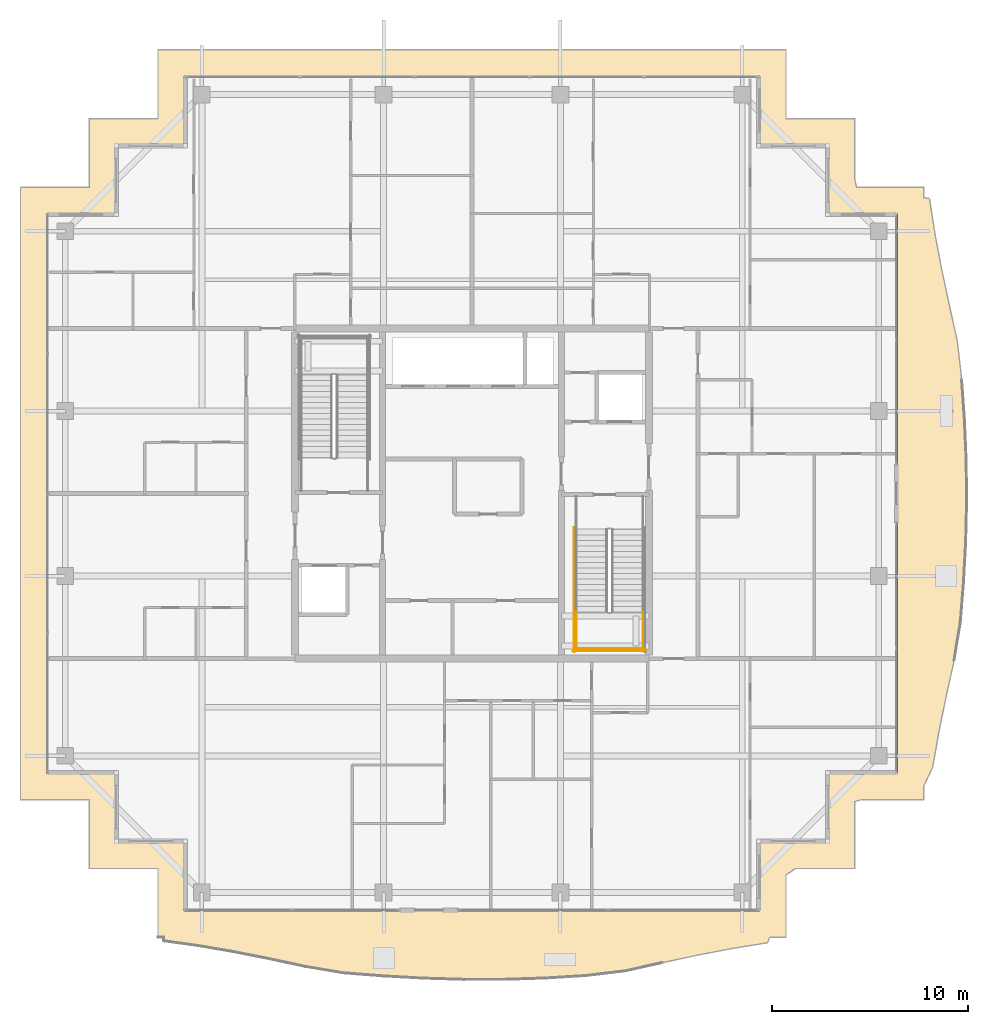
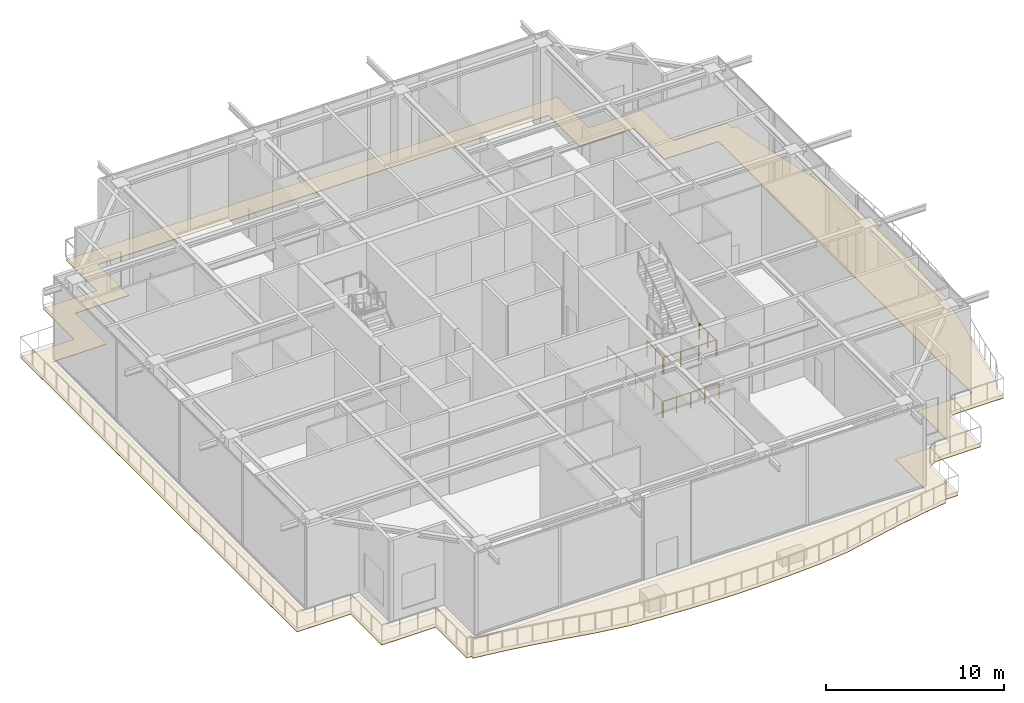
# One storey, part 36 of 38: 5 railings, 1 covering.
"""IFC4 building model written with IfcOpenShell, lengths in metres."""

from ifc_helpers import new_model, si_unit, direction, frame, origin, origin_2d, place, context, subcontext, project, spatial, polyline, circle, outline, extrude, material, layer, layer_set, type_object, element, save


model = new_model("IFC4")

# Units and contexts
model_context = context("Model", 3, precision=1e-05, world=origin(), true_north=direction((0.0, 1.0)))
body_context = subcontext(model_context, "Body", "Model", "MODEL_VIEW")
ifc_project = project(units=[si_unit("LENGTHUNIT", "METRE"), si_unit("AREAUNIT", "SQUARE_METRE"), si_unit("VOLUMEUNIT", "CUBIC_METRE"), si_unit("PLANEANGLEUNIT", "RADIAN"), si_unit("MASSUNIT", "GRAM", prefix="KILO")], contexts=[model_context])

# Site, building, storey
site_placement = place(None, origin())
site = spatial("IfcSite", under=ifc_project, at=site_placement, CompositionType="ELEMENT")
building_placement = place(site_placement, origin())
building = spatial("IfcBuilding", under=site, at=building_placement, Name="Serunith Strait Residences", CompositionType="ELEMENT")
storey_placement = place(building_placement, frame((0.0, 0.0, 342.050048828125)))
storey = spatial("IfcBuildingStorey", under=building, at=storey_placement, Name="L85", CompositionType="ELEMENT", Elevation=342.050048828125)

# Covering
ifc_material_1 = material(Name="Golden Teak Exterior Timber Boarding", Category="wood")
ifc_layer = layer(ifc_material_1, 0.034912109375, Name="Golden Teak Exterior Timber Boarding")
ifc_layer_set = layer_set([ifc_layer], Name="Golden Teak Exterior Timber Boarding")
covering_type = type_object("IfcCoveringType", Name="COV-TEAK-SOFFIT", PredefinedType="CEILING", material=ifc_layer_set)
covering_placement = place(storey_placement, frame((0.0, 0.0, -0.324951171875)))
element("IfcCovering", 1, at=covering_placement, inside=storey, type_object=covering_type, Name="L85 Golden-Teak Balcony Soffit Lining", PredefinedType="CEILING", context=body_context, shape_type="SweptSolid", body=[
    extrude(outline(polyline([(16.419921875, 2.6201171875), (16.419921875, 6.1201171875), (12.919921875, 6.1201171875), (12.919921875, 9.6201171875), (9.419921875, 9.6201171875), (9.419921875, 40.780029296875), (12.919921875, 40.780029296875), (12.919921875, 44.280029296875), (16.367919921875, 44.280029296875), (16.419921875, 44.30712890625), (16.419921875, 47.780029296875), (48.3798828125, 47.780029296875), (48.3798828125, 44.280029296875), (51.8798828125, 44.280029296875), (51.8798828125, 41.169677734375), (51.97216796875, 40.780029296875), (55.3798828125, 40.780029296875), (55.3798828125, 40.26025390625), (55.678466796875, 40.216064453125), (55.955078125, 38.44970703125), (56.290283203125, 36.666015625), (56.677001953125, 34.84716796875), (57.093017578125, 32.9736328125), (57.322998046875, 30.98828125), (57.468017578125, 28.952392578125), (57.556884765625, 26.888916015625), (57.578857421875, 24.811279296875), (57.531005859375, 22.7373046875), (57.41943359375, 20.6826171875), (57.25732421875, 18.65966796875), (56.936279296875, 16.71826171875), (56.527587890625, 14.86767578125), (56.158447265625, 13.064208984375), (55.844970703125, 11.28857421875), (55.3798828125, 10.294677734375), (55.3798828125, 9.6201171875), (52.20458984375, 9.6201171875), (51.8798828125, 9.52197265625), (51.8798828125, 6.1201171875), (48.8701171875, 6.1201171875), (48.3798828125, 5.79931640625), (48.3798828125, 2.6201171875), (47.565673828125, 2.6201171875), (47.426025390625, 2.33740234375), (45.664306640625, 2.0556640625), (43.884521484375, 1.7138671875), (42.068115234375, 1.32080078125), (40.19384765625, 0.901611328125), (38.205810546875, 0.665283203125), (36.161376953125, 0.537841796875), (34.09130859375, 0.470703125), (32.010986328125, 0.468505859375), (29.936767578125, 0.529296875), (27.8828125, 0.644287109375), (25.859130859375, 0.80126953125), (23.92138671875, 1.12646484375), (22.069091796875, 1.5224609375), (20.26318359375, 1.8798828125), (18.485107421875, 2.18359375), (16.7197265625, 2.431396484375), (16.72119140625, 2.6201171875), (16.419921875, 2.6201171875)]), holes=[polyline([(47.054931640625, 3.945068359375), (47.054931640625, 7.445068359375), (50.554931640625, 7.445068359375), (50.554931640625, 10.945068359375), (54.054931640625, 10.945068359375), (54.054931640625, 39.455078125), (50.554931640625, 39.455078125), (50.554931640625, 42.955078125), (47.054931640625, 42.955078125), (47.054931640625, 46.455078125), (17.7451171875, 46.455078125), (17.7451171875, 42.955078125), (14.2451171875, 42.955078125), (14.2451171875, 39.455078125), (10.7451171875, 39.455078125), (10.7451171875, 10.945068359375), (14.2451171875, 10.945068359375), (14.2451171875, 7.445068359375), (17.7451171875, 7.445068359375), (17.7451171875, 3.945068359375), (47.054931640625, 3.945068359375)])]), origin(), (0.0, 0.0, 1.0), 0.034912109375),
])

# Railings
ifc_material_2 = material(Name="Brushed stainless steel 316L", Category="steel")
railing_type = type_object("IfcRailingType", Name="RLG-STAIR-GUARD", PredefinedType="BALUSTRADE", material=ifc_material_2)
for number, where, name in (
    (2, (37.699951171875, 19.169921875, 2.949951171875), "L85 ST-2 stair guard 3"),
    (3, (41.10009765625, 19.169921875, 2.949951171875), "L85 ST-2 stair guard 4"),
):
    element("IfcRailing", number, at=place(storey_placement, frame(where)), inside=storey, type_object=railing_type, Name=name, PredefinedType="BALUSTRADE", context=body_context, shape_type="SweptSolid", body=[
        extrude(circle(Radius=0.02392578125, at=origin_2d()), frame((0.0, -0.001953125, 1.076171875), z_axis=(0.0, -1.0, 0.0), x_axis=(1.0, 0.0, 0.0)), (0.0, 0.0, 1.0), 1.916015625),
        extrude(circle(Radius=0.02099609375, at=origin_2d()), origin(), (0.0, 0.0, 1.0), 1.050048828125),
        extrude(circle(Radius=0.02099609375, at=origin_2d()), frame((0.0, -0.9599609375, 0.0)), (0.0, 0.0, 1.0), 1.050048828125),
        extrude(circle(Radius=0.02099609375, at=origin_2d()), frame((0.0, -1.919921875, 0.0)), (0.0, 0.0, 1.0), 1.050048828125),
    ])
railing_1_placement = place(storey_placement, frame((37.64990234375, 17.300048828125, 2.949951171875)))
element("IfcRailing", 4, at=railing_1_placement, inside=storey, type_object=railing_type, Name="L85 ST-2 stair guard 5", PredefinedType="BALUSTRADE", context=body_context, shape_type="SweptSolid", body=[
    extrude(circle(Radius=0.02392578125, at=origin_2d()), frame((0.001953125, 0.0, 1.076171875), z_axis=(1.0, 0.0, 0.0), x_axis=(0.0, 1.0, 0.0)), (0.0, 0.0, 1.0), 3.49609375),
    extrude(circle(Radius=0.02099609375, at=origin_2d()), origin(), (0.0, 0.0, 1.0), 1.050048828125),
    extrude(circle(Radius=0.02099609375, at=origin_2d()), frame((1.166748046875, 0.0, 0.0)), (0.0, 0.0, 1.0), 1.050048828125),
    extrude(circle(Radius=0.02099609375, at=origin_2d()), frame((2.333251953125, 0.0, 0.0)), (0.0, 0.0, 1.0), 1.050048828125),
    extrude(circle(Radius=0.02099609375, at=origin_2d()), frame((3.5, 0.0, 0.0)), (0.0, 0.0, 1.0), 1.050048828125),
])
railing_2_placement = place(storey_placement, frame((37.60009765625, 23.469970703125, 0.0)))
element("IfcRailing", 5, at=railing_2_placement, inside=storey, type_object=railing_type, Name="L85 ST-2 stair guard 10", PredefinedType="BALUSTRADE", context=body_context, shape_type="SweptSolid", body=[
    extrude(circle(Radius=0.02392578125, at=origin_2d()), frame((0.0, -0.001953125, 1.076171875), z_axis=(0.0, -1.0, 0.0), x_axis=(1.0, 0.0, 0.0)), (0.0, 0.0, 1.0), 6.316162109375),
    extrude(circle(Radius=0.02099609375, at=origin_2d()), origin(), (0.0, 0.0, 1.0), 1.050048828125),
    extrude(circle(Radius=0.02099609375, at=origin_2d()), frame((0.0, -1.05322265625, 0.0)), (0.0, 0.0, 1.0), 1.050048828125),
    extrude(circle(Radius=0.02099609375, at=origin_2d()), frame((0.0, -2.106689453125, 0.0)), (0.0, 0.0, 1.0), 1.050048828125),
    extrude(circle(Radius=0.02099609375, at=origin_2d()), frame((0.0, -3.16015625, 0.0)), (0.0, 0.0, 1.0), 1.050048828125),
    extrude(circle(Radius=0.02099609375, at=origin_2d()), frame((0.0, -4.21337890625, 0.0)), (0.0, 0.0, 1.0), 1.050048828125),
    extrude(circle(Radius=0.02099609375, at=origin_2d()), frame((0.0, -5.2666015625, 0.0)), (0.0, 0.0, 1.0), 1.050048828125),
    extrude(circle(Radius=0.02099609375, at=origin_2d()), frame((0.0, -6.320068359375, 0.0)), (0.0, 0.0, 1.0), 1.050048828125),
])
railing_3_placement = place(storey_placement, frame((37.550048828125, 17.199951171875, 0.0)))
element("IfcRailing", 6, at=railing_3_placement, inside=storey, type_object=railing_type, Name="L85 ST-2 stair guard 12", PredefinedType="BALUSTRADE", context=body_context, shape_type="SweptSolid", body=[
    extrude(circle(Radius=0.02392578125, at=origin_2d()), frame((0.001953125, 0.0, 1.076171875), z_axis=(1.0, 0.0, 0.0), x_axis=(0.0, 1.0, 0.0)), (0.0, 0.0, 1.0), 3.696044921875),
    extrude(circle(Radius=0.02099609375, at=origin_2d()), origin(), (0.0, 0.0, 1.0), 1.050048828125),
    extrude(circle(Radius=0.02099609375, at=origin_2d()), frame((0.925048828125, 0.0, 0.0)), (0.0, 0.0, 1.0), 1.050048828125),
    extrude(circle(Radius=0.02099609375, at=origin_2d()), frame((1.85009765625, 0.0, 0.0)), (0.0, 0.0, 1.0), 1.050048828125),
    extrude(circle(Radius=0.02099609375, at=origin_2d()), frame((2.77490234375, 0.0, 0.0)), (0.0, 0.0, 1.0), 1.050048828125),
    extrude(circle(Radius=0.02099609375, at=origin_2d()), frame((3.699951171875, 0.0, 0.0)), (0.0, 0.0, 1.0), 1.050048828125),
])

save(model, "model.ifc")
